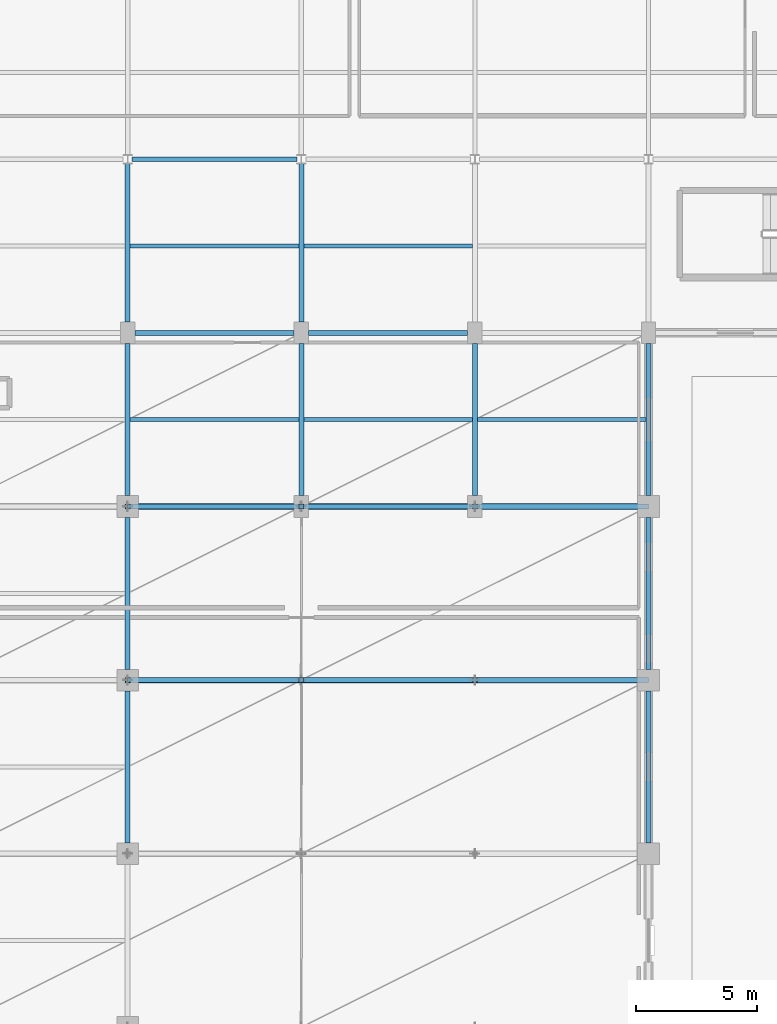
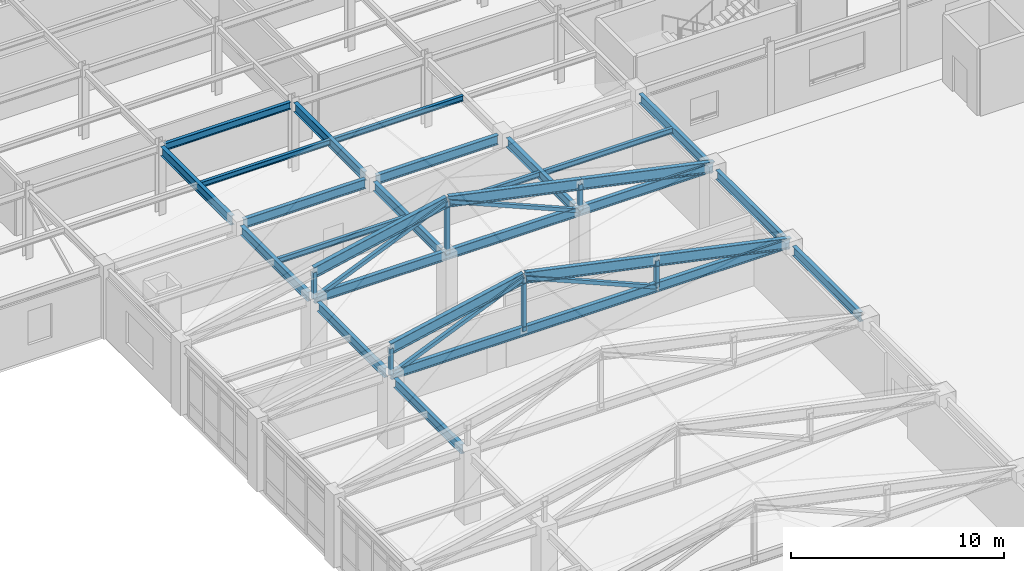
# One storey, part 57 of 113: 20 beams, 16 members.
"""IFC4 building model written with IfcOpenShell, lengths in metres."""

import ifcopenshell
import ifcopenshell.guid

model = None  # the IFC model being written
_history = None  # IfcOwnerHistory: only IFC2X3 demands one
_inside = {}  # id of a spatial element -> (the spatial element, [elements in it])
_under = {}  # id of a project, library or spatial element -> (it, [spatial elements below it])
_declared = {}  # id of a project -> (the project, [libraries it declares])
_typed = {}  # id of a type object -> (the type object, [elements of that type])
_made_of = {}  # id of a material, layer set ... -> (it, [elements and type objects made of it])


def new_model(schema):
    """Start an empty IFC model of exactly this schema.

    Asked for "IFC4X3", IfcOpenShell would pick the latest addendum, in which some entities
    have other attributes; the version numbers below select the first issue.
    IFC2X3 requires an IfcOwnerHistory on every rooted entity: one is made here for all.
    """
    global model, _history
    if schema == "IFC4X3":
        model = ifcopenshell.file(schema_version=(4, 3, 0, 0))
    else:
        model = ifcopenshell.file(schema=schema)
    _inside.clear()
    _under.clear()
    _declared.clear()
    _typed.clear()
    _made_of.clear()
    _history = None
    if model.schema == "IFC2X3":
        org = make("IfcOrganization", Name="unknown")
        user = make(
            "IfcPersonAndOrganization",
            ThePerson=make("IfcPerson", FamilyName="unknown"),
            TheOrganization=org,
        )
        app = make(
            "IfcApplication",
            ApplicationDeveloper=org,
            Version="unknown",
            ApplicationFullName="unknown",
            ApplicationIdentifier="unknown",
        )
        _history = make(
            "IfcOwnerHistory",
            OwningUser=user,
            OwningApplication=app,
            ChangeAction="ADDED",
            CreationDate=0,
        )
    return model


def make(cls, **values):
    """One entity of the class cls with the attributes given. An attribute that is None is left unset."""
    return model.create_entity(
        cls, **{name: value for name, value in values.items() if value is not None}
    )


def rooted(cls, **values):
    """An entity with a GlobalId (a new one), such as an element, a storey or a relation."""
    return make(cls, GlobalId=ifcopenshell.guid.new(), OwnerHistory=_history, **values)


def si_unit(unit_type, name, prefix=None):
    """IfcSIUnit, for example si_unit("LENGTHUNIT", "METRE", prefix="MILLI")."""
    return make("IfcSIUnit", UnitType=unit_type, Prefix=prefix, Name=name)


def assignment(units):
    """IfcUnitAssignment: the units of a project."""
    return None if units is None else make("IfcUnitAssignment", Units=units)


def point(xyz):
    """IfcCartesianPoint."""
    return None if xyz is None else make("IfcCartesianPoint", Coordinates=xyz)


def direction(xyz):
    """IfcDirection."""
    return None if xyz is None else make("IfcDirection", DirectionRatios=xyz)


def frame(location, z_axis=None, x_axis=None):
    """IfcAxis2Placement3D, a coordinate frame: its origin and axes. An axis left out is left unset."""
    return make(
        "IfcAxis2Placement3D",
        Location=point(location),
        Axis=direction(z_axis),
        RefDirection=direction(x_axis),
    )


def frame_2d(location, x_axis=None):
    """IfcAxis2Placement2D, a coordinate frame in the plane: its origin and x axis."""
    return make(
        "IfcAxis2Placement2D", Location=point(location), RefDirection=direction(x_axis)
    )


def origin():
    """The frame at (0, 0, 0) with its axes left unset."""
    return frame((0.0, 0.0, 0.0))


def origin_2d():
    """The frame at (0, 0) in the plane with its x axis left unset."""
    return frame_2d((0.0, 0.0))


def place(relative_to, where):
    """IfcLocalPlacement: puts the frame where relative to a parent placement (None: the world)."""
    return make(
        "IfcLocalPlacement", PlacementRelTo=relative_to, RelativePlacement=where
    )


def context(
    kind, dimensions, precision=None, world=None, true_north=None, identifier=None
):
    """IfcGeometricRepresentationContext, for example the 3D "Model" context."""
    return make(
        "IfcGeometricRepresentationContext",
        ContextIdentifier=identifier,
        ContextType=kind,
        CoordinateSpaceDimension=dimensions,
        Precision=precision,
        WorldCoordinateSystem=world,
        TrueNorth=true_north,
    )


def subcontext(parent, identifier, kind, view, scale=None):
    """IfcGeometricRepresentationSubContext, for example "Body" below "Model"."""
    return make(
        "IfcGeometricRepresentationSubContext",
        ContextIdentifier=identifier,
        ContextType=kind,
        ParentContext=parent,
        TargetScale=scale,
        TargetView=view,
    )


def project(units=None, contexts=None):
    """IfcProject with its units and contexts."""
    return rooted(
        "IfcProject",
        Name="project",
        RepresentationContexts=contexts,
        UnitsInContext=assignment(units),
    )


def spatial(cls, under=None, at=None, **own):
    """A site, building, storey or space (cls), placed at a placement, below another one or the project."""
    s = rooted(cls, ObjectPlacement=at, **own)
    if under is not None:
        _under.setdefault(under.id(), (under, []))[1].append(s)
    return s


def profile(cls, at=None, kind="AREA", **sizes):
    """A parametric profile (cls). Its sizes go by their IFC names, for example OverallWidth=200.0."""
    return make(cls, ProfileType=kind, Position=at, **sizes)


def hollow_rectangle(**sizes):
    """IfcRectangleHollowProfileDef."""
    return profile("IfcRectangleHollowProfileDef", **sizes)


def i_section(**sizes):
    """IfcIShapeProfileDef."""
    return profile("IfcIShapeProfileDef", **sizes)


def extrude(swept, where, along, depth):
    """IfcExtrudedAreaSolid: the profile swept, set in the frame where, extruded along a direction by depth."""
    return make(
        "IfcExtrudedAreaSolid",
        SweptArea=swept,
        Position=where,
        ExtrudedDirection=direction(along),
        Depth=depth,
    )


def shape(context_of_items, identifier, shape_type, items):
    """IfcShapeRepresentation: the items that make up one representation, for example the "Body"."""
    return make(
        "IfcShapeRepresentation",
        ContextOfItems=context_of_items,
        RepresentationIdentifier=identifier,
        RepresentationType=shape_type,
        Items=items,
    )


def material(Name=None, Category=None):
    """IfcMaterial."""
    return make("IfcMaterial", Name=Name, Category=Category)


def material_profile(
    of_material, cross_section, Name=None, Category=None, Priority=None
):
    """IfcMaterialProfile: a cross section and its material."""
    return make(
        "IfcMaterialProfile",
        Name=Name,
        Material=of_material,
        Profile=cross_section,
        Priority=Priority,
        Category=Category,
    )


def profile_set(profiles, Name=None, composite=None):
    """IfcMaterialProfileSet."""
    return make(
        "IfcMaterialProfileSet",
        Name=Name,
        MaterialProfiles=profiles,
        CompositeProfile=composite,
    )


def made_of(thing, what):
    """Note that an element or type object is made of a material, layer set ...; save() writes the relation."""
    if what is not None:
        _made_of.setdefault(what.id(), (what, []))[1].append(thing)
    return thing


def type_object(cls, material=None, **own):
    """A type object (cls), such as IfcWallType, which elements share."""
    return made_of(rooted(cls, **own), material)


def element(
    cls,
    number,
    at=None,
    inside=None,
    cuts=None,
    type_object=None,
    material=None,
    context=None,
    identifier="Body",
    shape_type=None,
    held_by="IfcProductDefinitionShape",
    body=None,
    shapes=None,
    **own,
):
    """One element of the class cls, such as IfcWall. Its Tag is "e" and its number.

    at: its placement. inside: the storey or other place that contains it. cuts: it is an
    opening in that element (IfcRelVoidsElement). A single representation is given by context,
    identifier, shape_type and body (its items); several are given by shapes. held_by: the class
    of the entity that holds the representations. save() writes the other relations.
    """
    e = rooted(cls, Tag="e%d" % number, ObjectPlacement=at, **own)
    if body is not None:
        shapes = [shape(context, identifier, shape_type, body)]
    if shapes is not None:
        e.Representation = make(held_by, Representations=shapes)
    if inside is not None:
        _inside.setdefault(inside.id(), (inside, []))[1].append(e)
    if cuts is not None:
        rooted(
            "IfcRelVoidsElement", RelatingBuildingElement=cuts, RelatedOpeningElement=e
        )
    if type_object is not None:
        _typed.setdefault(type_object.id(), (type_object, []))[1].append(e)
    return made_of(e, material)


def aggregate(whole, parts):
    """IfcRelAggregates: a whole, such as a stair, and the parts it consists of."""
    return rooted("IfcRelAggregates", RelatingObject=whole, RelatedObjects=parts)


def save(model, path):
    """Write the relations noted so far, then the file.

    IfcRelAggregates (storeys below a building ...), IfcRelContainedInSpatialStructure (elements
    in a storey), IfcRelDefinesByType, IfcRelAssociatesMaterial and IfcRelDeclares: one each for
    every whole, place, type object, material and project.
    """
    for whole, parts in _under.values():
        aggregate(whole, parts)
    for where, things in _inside.values():
        rooted(
            "IfcRelContainedInSpatialStructure",
            RelatedElements=things,
            RelatingStructure=where,
        )
    for kind, things in _typed.values():
        rooted("IfcRelDefinesByType", RelatedObjects=things, RelatingType=kind)
    for what, things in _made_of.values():
        rooted("IfcRelAssociatesMaterial", RelatedObjects=things, RelatingMaterial=what)
    for by, libraries in _declared.values():
        rooted("IfcRelDeclares", RelatingContext=by, RelatedDefinitions=libraries)
    model.write(path)


model = new_model("IFC4")

# Units and contexts
model_context = context("Model", 3, precision=1e-05, world=origin(), true_north=direction((0.0, 1.0)))
body_context = subcontext(model_context, "Body", "Model", "MODEL_VIEW")
ifc_project = project(units=[si_unit("LENGTHUNIT", "METRE"), si_unit("AREAUNIT", "SQUARE_METRE"), si_unit("VOLUMEUNIT", "CUBIC_METRE"), si_unit("PLANEANGLEUNIT", "RADIAN"), si_unit("MASSUNIT", "GRAM", prefix="KILO")], contexts=[model_context])

# Site, building, storey
site_placement = place(None, origin())
site = spatial("IfcSite", under=ifc_project, at=site_placement, CompositionType="ELEMENT")
building_placement = place(site_placement, origin())
building = spatial("IfcBuilding", under=site, at=building_placement, Name="Carrowvane Square Congress Hotel", CompositionType="ELEMENT")
storey_placement = place(building_placement, frame((0.0, 0.0, 15.0)))
storey = spatial("IfcBuildingStorey", under=building, at=storey_placement, Name="L03", CompositionType="ELEMENT", Elevation=15.0)

# Beams
ifc_material_1 = material(Name="Steel S355", Category="steel")
ifc_material_profile_1 = material_profile(ifc_material_1, i_section(OverallWidth=0.165771484375, OverallDepth=0.306640625, WebThickness=0.006591796875, FlangeThickness=0.01171875, FilletRadius=0.0087890625, at=origin_2d()), Name="UKB 305x165x46")
ifc_profile_set_1 = profile_set([ifc_material_profile_1], Name="Steel S355")
beam_type_1 = type_object("IfcBeamType", Name="BM-ST-UKB305", PredefinedType="JOIST", material=ifc_profile_set_1)
for number, where, z_axis, x_axis, name in (
    (1, (141.304931640625, 52.199951171875, 3.78662109375), (1.0, 0.0, 0.0), (0.0, 1.0, 0.0), "L04 secondary joist 19-20"),
    (2, (141.304931640625, 59.39990234375, 3.78662109375), (1.0, 0.0, 0.0), (0.0, 1.0, 0.0), "L04 secondary joist 19-20"),
):
    element("IfcBeam", number, at=place(storey_placement, frame(where, z_axis=z_axis, x_axis=x_axis)), inside=storey, type_object=beam_type_1, Name=name, PredefinedType="JOIST", context=body_context, shape_type="SweptSolid", body=[
        extrude(i_section(OverallWidth=0.165771484375, OverallDepth=0.306640625, WebThickness=0.006591796875, FlangeThickness=0.01171875, FilletRadius=0.0087890625, at=origin_2d()), origin(), (0.0, 0.0, 1.0), 6.989990234375),
    ])
for number, where, z_axis, x_axis, name in (
    (3, (148.5048828125, 52.199951171875, 3.78662109375), (1.0, 0.0, 0.0), (0.0, 1.0, 0.0), "L04 secondary joist 20-21"),
    (4, (148.5048828125, 59.39990234375, 3.78662109375), (1.0, 0.0, 0.0), (0.0, 1.0, 0.0), "L04 secondary joist 20-21"),
):
    element("IfcBeam", number, at=place(storey_placement, frame(where, z_axis=z_axis, x_axis=x_axis)), inside=storey, type_object=beam_type_1, Name=name, PredefinedType="JOIST", context=body_context, shape_type="SweptSolid", body=[
        extrude(i_section(OverallWidth=0.165771484375, OverallDepth=0.306640625, WebThickness=0.006591796875, FlangeThickness=0.01171875, FilletRadius=0.0087890625, at=origin_2d()), origin(), (0.0, 0.0, 1.0), 6.990234375),
    ])
beam_1_placement = place(storey_placement, frame((155.705078125, 52.199951171875, 3.78662109375), z_axis=(1.0, 0.0, 0.0), x_axis=(0.0, 1.0, 0.0)))
element("IfcBeam", 5, at=beam_1_placement, inside=storey, type_object=beam_type_1, Name="L04 secondary joist 21-22", PredefinedType="JOIST", context=body_context, shape_type="SweptSolid", body=[
    extrude(i_section(OverallWidth=0.165771484375, OverallDepth=0.306640625, WebThickness=0.006591796875, FlangeThickness=0.01171875, FilletRadius=0.0087890625, at=origin_2d()), origin(), (0.0, 0.0, 1.0), 6.989990234375),
])
ifc_material_2 = material(Name="Steel S355", Category="steel")
ifc_material_profile_2 = material_profile(ifc_material_2, i_section(OverallWidth=0.1787109375, OverallDepth=0.409423828125, WebThickness=0.0087890625, FlangeThickness=0.014404296875, FilletRadius=0.01025390625, at=origin_2d()), Name="UKB 406x178x67")
ifc_profile_set_2 = profile_set([ifc_material_profile_2], Name="Steel S355")
beam_type_2 = type_object("IfcBeamType", Name="BM-ST-UKB406", PredefinedType="BEAM", material=ifc_profile_set_2)
beam_2_placement = place(storey_placement, frame((141.38525390625, 63.0, 3.7353515625), z_axis=(1.0, 0.0, 0.0), x_axis=(0.0, 1.0, 0.0)))
element("IfcBeam", 6, at=beam_2_placement, inside=storey, type_object=beam_type_2, Name="L04 girder J/19-20", PredefinedType="BEAM", context=body_context, shape_type="SweptSolid", body=[
    extrude(i_section(OverallWidth=0.1787109375, OverallDepth=0.409423828125, WebThickness=0.0087890625, FlangeThickness=0.014404296875, FilletRadius=0.01025390625, at=origin_2d()), origin(), (0.0, 0.0, 1.0), 6.82958984375),
])
ifc_material_3 = material(Name="Steel S355", Category="steel")
ifc_material_profile_3 = material_profile(ifc_material_3, i_section(OverallWidth=0.2099609375, OverallDepth=0.53662109375, WebThickness=0.0107421875, FlangeThickness=0.017333984375, FilletRadius=0.0126953125, at=origin_2d()), Name="UKB 533x210x101")
ifc_profile_set_3 = profile_set([ifc_material_profile_3], Name="Steel S355")
beam_type_3 = type_object("IfcBeamType", Name="BM-ST-UKB533", PredefinedType="USERDEFINED", material=ifc_profile_set_3)
for number, where, z_axis, x_axis, name in (
    (7, (141.5, 55.800048828125, 3.671630859375), (1.0, 0.0, 0.0), (0.0, 1.0, 0.0), "L04 girder H/19-20"),
    (8, (148.699951171875, 55.800048828125, 3.671630859375), (1.0, 0.0, 0.0), (0.0, 1.0, 0.0), "L04 girder H/20-21"),
):
    element("IfcBeam", number, at=place(storey_placement, frame(where, z_axis=z_axis, x_axis=x_axis)), inside=storey, type_object=beam_type_3, Name=name, ObjectType="GIRDER", PredefinedType="USERDEFINED", context=body_context, shape_type="SweptSolid", body=[
        extrude(i_section(OverallWidth=0.2099609375, OverallDepth=0.53662109375, WebThickness=0.0107421875, FlangeThickness=0.017333984375, FilletRadius=0.0126953125, at=origin_2d()), origin(), (0.0, 0.0, 1.0), 6.60009765625),
    ])
beam_3_placement = place(storey_placement, frame((141.199951171875, 34.64990234375, 3.671630859375), z_axis=(0.0, 1.0, 0.0), x_axis=(-1.0, 0.0, 0.0)))
element("IfcBeam", 9, at=beam_3_placement, inside=storey, type_object=beam_type_3, Name="L04 girder 19/E-F", ObjectType="GIRDER", PredefinedType="USERDEFINED", context=body_context, shape_type="SweptSolid", body=[
    extrude(i_section(OverallWidth=0.2099609375, OverallDepth=0.53662109375, WebThickness=0.0107421875, FlangeThickness=0.017333984375, FilletRadius=0.0126953125, at=origin_2d()), origin(), (0.0, 0.0, 1.0), 6.300048828125),
])
beam_4_placement = place(storey_placement, frame((141.199951171875, 41.85009765625, 3.671630859375), z_axis=(0.0, 1.0, 0.0), x_axis=(-1.0, 0.0, 0.0)))
element("IfcBeam", 10, at=beam_4_placement, inside=storey, type_object=beam_type_3, Name="L04 girder 19/F-G", ObjectType="GIRDER", PredefinedType="USERDEFINED", context=body_context, shape_type="SweptSolid", body=[
    extrude(i_section(OverallWidth=0.2099609375, OverallDepth=0.53662109375, WebThickness=0.0107421875, FlangeThickness=0.017333984375, FilletRadius=0.0126953125, at=origin_2d()), origin(), (0.0, 0.0, 1.0), 6.2998046875),
])
beam_5_placement = place(storey_placement, frame((141.199951171875, 49.050048828125, 3.671630859375), z_axis=(0.0, 1.0, 0.0), x_axis=(-1.0, 0.0, 0.0)))
element("IfcBeam", 11, at=beam_5_placement, inside=storey, type_object=beam_type_3, Name="L04 girder 19/G-H", ObjectType="GIRDER", PredefinedType="USERDEFINED", context=body_context, shape_type="SweptSolid", body=[
    extrude(i_section(OverallWidth=0.2099609375, OverallDepth=0.53662109375, WebThickness=0.0107421875, FlangeThickness=0.017333984375, FilletRadius=0.0126953125, at=origin_2d()), origin(), (0.0, 0.0, 1.0), 6.300048828125),
])
beam_6_placement = place(storey_placement, frame((141.199951171875, 56.25, 3.671630859375), z_axis=(0.0, 1.0, 0.0), x_axis=(-1.0, 0.0, 0.0)))
element("IfcBeam", 12, at=beam_6_placement, inside=storey, type_object=beam_type_3, Name="L04 girder 19/H-J", ObjectType="GIRDER", PredefinedType="USERDEFINED", context=body_context, shape_type="SweptSolid", body=[
    extrude(i_section(OverallWidth=0.2099609375, OverallDepth=0.53662109375, WebThickness=0.0107421875, FlangeThickness=0.017333984375, FilletRadius=0.0126953125, at=origin_2d()), origin(), (0.0, 0.0, 1.0), 6.569091796875),
])
beam_7_placement = place(storey_placement, frame((148.39990234375, 49.050048828125, 3.671630859375), z_axis=(0.0, 1.0, 0.0), x_axis=(-1.0, 0.0, 0.0)))
element("IfcBeam", 13, at=beam_7_placement, inside=storey, type_object=beam_type_3, Name="L04 girder 20/G-H", ObjectType="GIRDER", PredefinedType="USERDEFINED", context=body_context, shape_type="SweptSolid", body=[
    extrude(i_section(OverallWidth=0.2099609375, OverallDepth=0.53662109375, WebThickness=0.0107421875, FlangeThickness=0.017333984375, FilletRadius=0.0126953125, at=origin_2d()), origin(), (0.0, 0.0, 1.0), 6.300048828125),
])
beam_8_placement = place(storey_placement, frame((148.39990234375, 56.25, 3.671630859375), z_axis=(0.0, 1.0, 0.0), x_axis=(-1.0, 0.0, 0.0)))
element("IfcBeam", 14, at=beam_8_placement, inside=storey, type_object=beam_type_3, Name="L04 girder 20/H-J", ObjectType="GIRDER", PredefinedType="USERDEFINED", context=body_context, shape_type="SweptSolid", body=[
    extrude(i_section(OverallWidth=0.2099609375, OverallDepth=0.53662109375, WebThickness=0.0107421875, FlangeThickness=0.017333984375, FilletRadius=0.0126953125, at=origin_2d()), origin(), (0.0, 0.0, 1.0), 6.569091796875),
])
for number, where, z_axis, x_axis, name in (
    (15, (155.60009765625, 49.050048828125, 3.671630859375), (0.0, 1.0, 0.0), (-1.0, 0.0, 0.0), "L04 girder 21/G-H"),
    (16, (162.800048828125, 34.64990234375, 3.671630859375), (0.0, 1.0, 0.0), (-1.0, 0.0, 0.0), "L04 girder 22/E-F"),
):
    element("IfcBeam", number, at=place(storey_placement, frame(where, z_axis=z_axis, x_axis=x_axis)), inside=storey, type_object=beam_type_3, Name=name, ObjectType="GIRDER", PredefinedType="USERDEFINED", context=body_context, shape_type="SweptSolid", body=[
        extrude(i_section(OverallWidth=0.2099609375, OverallDepth=0.53662109375, WebThickness=0.0107421875, FlangeThickness=0.017333984375, FilletRadius=0.0126953125, at=origin_2d()), origin(), (0.0, 0.0, 1.0), 6.300048828125),
    ])
beam_9_placement = place(storey_placement, frame((162.800048828125, 41.85009765625, 3.671630859375), z_axis=(0.0, 1.0, 0.0), x_axis=(-1.0, 0.0, 0.0)))
element("IfcBeam", 17, at=beam_9_placement, inside=storey, type_object=beam_type_3, Name="L04 girder 22/F-G", ObjectType="GIRDER", PredefinedType="USERDEFINED", context=body_context, shape_type="SweptSolid", body=[
    extrude(i_section(OverallWidth=0.2099609375, OverallDepth=0.53662109375, WebThickness=0.0107421875, FlangeThickness=0.017333984375, FilletRadius=0.0126953125, at=origin_2d()), origin(), (0.0, 0.0, 1.0), 6.2998046875),
])
beam_10_placement = place(storey_placement, frame((162.800048828125, 49.050048828125, 3.671630859375), z_axis=(0.0, 1.0, 0.0), x_axis=(-1.0, 0.0, 0.0)))
element("IfcBeam", 18, at=beam_10_placement, inside=storey, type_object=beam_type_3, Name="L04 girder 22/G-H", ObjectType="GIRDER", PredefinedType="USERDEFINED", context=body_context, shape_type="SweptSolid", body=[
    extrude(i_section(OverallWidth=0.2099609375, OverallDepth=0.53662109375, WebThickness=0.0107421875, FlangeThickness=0.017333984375, FilletRadius=0.0126953125, at=origin_2d()), origin(), (0.0, 0.0, 1.0), 6.300048828125),
])
for number, where, z_axis, x_axis, name in (
    (19, (141.199951171875, 41.39990234375, 3.85009765625), (1.0, 0.0, 0.0), (0.0, 1.0, 0.0), "V2 pavilion truss main tie girder 5"),
    (20, (141.199951171875, 48.60009765625, 3.85009765625), (1.0, 0.0, 0.0), (0.0, 1.0, 0.0), "V2 pavilion truss main tie girder 6"),
):
    element("IfcBeam", number, at=place(storey_placement, frame(where, z_axis=z_axis, x_axis=x_axis)), inside=storey, type_object=beam_type_3, Name=name, ObjectType="GIRDER", PredefinedType="USERDEFINED", context=body_context, shape_type="SweptSolid", body=[
        extrude(i_section(OverallWidth=0.2099609375, OverallDepth=0.53662109375, WebThickness=0.0107421875, FlangeThickness=0.017333984375, FilletRadius=0.0126953125, at=origin_2d()), origin(), (0.0, 0.0, 1.0), 21.60009765625),
    ])

# Members
ifc_material_4 = material(Name="Steel S355", Category="steel")
ifc_material_profile_4 = material_profile(ifc_material_4, hollow_rectangle(XDim=0.199951171875, YDim=0.199951171875, WallThickness=0.012451171875, at=origin_2d()), Name="SHS 200x200x12.5")
ifc_profile_set_4 = profile_set([ifc_material_profile_4], Name="Steel S355")
member_type_1 = type_object("IfcMemberType", Name="MEM-BR-SHS200", PredefinedType="BRACE", material=ifc_profile_set_4)
member_1_placement = place(storey_placement, frame((141.199951171875, 41.39990234375, 3.85009765625), z_axis=(0.920753811728, 0.0, 0.390144099262), x_axis=(0.0, 1.0, 0.0)))
element("IfcMember", 21, at=member_1_placement, inside=storey, type_object=member_type_1, Name="V2 pavilion truss diagonal 5.2", PredefinedType="BRACE", context=body_context, shape_type="SweptSolid", body=[
    extrude(hollow_rectangle(XDim=0.199951171875, YDim=0.199951171875, WallThickness=0.012451171875, at=origin_2d()), origin(), (0.0, 0.0, 1.0), 7.819580078125),
])
member_2_placement = place(storey_placement, frame((148.39990234375, 41.39990234375, 6.90087890625), z_axis=(0.920758563825, 0.0, -0.390132883954), x_axis=(0.0, 1.0, 0.0)))
element("IfcMember", 22, at=member_2_placement, inside=storey, type_object=member_type_1, Name="V2 pavilion truss diagonal 5.3", PredefinedType="BRACE", context=body_context, shape_type="SweptSolid", body=[
    extrude(hollow_rectangle(XDim=0.199951171875, YDim=0.199951171875, WallThickness=0.012451171875, at=origin_2d()), origin(), (0.0, 0.0, 1.0), 7.81982421875),
])
member_3_placement = place(storey_placement, frame((141.199951171875, 48.60009765625, 3.85009765625), z_axis=(0.920753811728, 0.0, 0.390144099262), x_axis=(0.0, 1.0, 0.0)))
element("IfcMember", 23, at=member_3_placement, inside=storey, type_object=member_type_1, Name="V2 pavilion truss diagonal 6.2", PredefinedType="BRACE", context=body_context, shape_type="SweptSolid", body=[
    extrude(hollow_rectangle(XDim=0.199951171875, YDim=0.199951171875, WallThickness=0.012451171875, at=origin_2d()), origin(), (0.0, 0.0, 1.0), 7.819580078125),
])
member_4_placement = place(storey_placement, frame((148.39990234375, 48.60009765625, 6.90087890625), z_axis=(0.920758563825, 0.0, -0.390132883954), x_axis=(0.0, 1.0, 0.0)))
element("IfcMember", 24, at=member_4_placement, inside=storey, type_object=member_type_1, Name="V2 pavilion truss diagonal 6.3", PredefinedType="BRACE", context=body_context, shape_type="SweptSolid", body=[
    extrude(hollow_rectangle(XDim=0.199951171875, YDim=0.199951171875, WallThickness=0.012451171875, at=origin_2d()), origin(), (0.0, 0.0, 1.0), 7.81982421875),
])
ifc_material_5 = material(Name="Steel S355", Category="steel")
ifc_material_profile_5 = material_profile(ifc_material_5, hollow_rectangle(XDim=0.199951171875, YDim=0.199951171875, WallThickness=0.012451171875, at=origin_2d()), Name="SHS 200x200x12.5")
ifc_profile_set_5 = profile_set([ifc_material_profile_5], Name="Steel S355")
member_type_2 = type_object("IfcMemberType", Name="MEM-ST-SHS200", PredefinedType="STRUT", material=ifc_profile_set_5)
member_5_placement = place(storey_placement, frame((141.199951171875, 41.39990234375, 3.85009765625), z_axis=(0.0, 0.0, 1.0), x_axis=(1.0, 0.0, 0.0)))
element("IfcMember", 25, at=member_5_placement, inside=storey, type_object=member_type_2, Name="V2 pavilion truss vertical 5.2", PredefinedType="STRUT", context=body_context, shape_type="SweptSolid", body=[
    extrude(hollow_rectangle(XDim=0.199951171875, YDim=0.199951171875, WallThickness=0.012451171875, at=origin_2d()), origin(), (0.0, 0.0, 1.0), 1.520263671875),
])
member_6_placement = place(storey_placement, frame((148.39990234375, 41.39990234375, 3.85009765625), z_axis=(0.0, 0.0, 1.0), x_axis=(1.0, 0.0, 0.0)))
element("IfcMember", 26, at=member_6_placement, inside=storey, type_object=member_type_2, Name="V2 pavilion truss vertical 5.3", PredefinedType="STRUT", context=body_context, shape_type="SweptSolid", body=[
    extrude(hollow_rectangle(XDim=0.199951171875, YDim=0.199951171875, WallThickness=0.012451171875, at=origin_2d()), origin(), (0.0, 0.0, 1.0), 3.05078125),
])
for number, where, z_axis, x_axis, name in (
    (27, (155.60009765625, 41.39990234375, 3.85009765625), (0.0, 0.0, 1.0), (1.0, 0.0, 0.0), "V2 pavilion truss vertical 5.4"),
    (28, (141.199951171875, 48.60009765625, 3.85009765625), (0.0, 0.0, 1.0), (1.0, 0.0, 0.0), "V2 pavilion truss vertical 6.2"),
):
    element("IfcMember", number, at=place(storey_placement, frame(where, z_axis=z_axis, x_axis=x_axis)), inside=storey, type_object=member_type_2, Name=name, PredefinedType="STRUT", context=body_context, shape_type="SweptSolid", body=[
        extrude(hollow_rectangle(XDim=0.199951171875, YDim=0.199951171875, WallThickness=0.012451171875, at=origin_2d()), origin(), (0.0, 0.0, 1.0), 1.520263671875),
    ])
member_7_placement = place(storey_placement, frame((148.39990234375, 48.60009765625, 3.85009765625), z_axis=(0.0, 0.0, 1.0), x_axis=(1.0, 0.0, 0.0)))
element("IfcMember", 29, at=member_7_placement, inside=storey, type_object=member_type_2, Name="V2 pavilion truss vertical 6.3", PredefinedType="STRUT", context=body_context, shape_type="SweptSolid", body=[
    extrude(hollow_rectangle(XDim=0.199951171875, YDim=0.199951171875, WallThickness=0.012451171875, at=origin_2d()), origin(), (0.0, 0.0, 1.0), 3.05078125),
])
member_8_placement = place(storey_placement, frame((155.60009765625, 48.60009765625, 3.85009765625), z_axis=(0.0, 0.0, 1.0), x_axis=(1.0, 0.0, 0.0)))
element("IfcMember", 30, at=member_8_placement, inside=storey, type_object=member_type_2, Name="V2 pavilion truss vertical 6.4", PredefinedType="STRUT", context=body_context, shape_type="SweptSolid", body=[
    extrude(hollow_rectangle(XDim=0.199951171875, YDim=0.199951171875, WallThickness=0.012451171875, at=origin_2d()), origin(), (0.0, 0.0, 1.0), 1.520263671875),
])
ifc_material_6 = material(Name="Steel S355", Category="steel")
ifc_material_profile_6 = material_profile(ifc_material_6, i_section(OverallWidth=0.230224609375, OverallDepth=0.6171875, WebThickness=0.01318359375, FlangeThickness=0.022216796875, FilletRadius=0.0126953125, at=origin_2d()), Name="UKB 610x229x140")
ifc_profile_set_6 = profile_set([ifc_material_profile_6], Name="Steel S355")
member_type_3 = type_object("IfcMemberType", Name="MEM-TC-UKB610", PredefinedType="CHORD", material=ifc_profile_set_6)
member_9_placement = place(storey_placement, frame((141.199951171875, 41.39990234375, 5.370361328125), z_axis=(0.978144265498, 0.0, 0.207927381249), x_axis=(0.0, 1.0, 0.0)))
element("IfcMember", 31, at=member_9_placement, inside=storey, type_object=member_type_3, Name="V2 pavilion truss top chord 5.2", PredefinedType="CHORD", context=body_context, shape_type="SweptSolid", body=[
    extrude(i_section(OverallWidth=0.230224609375, OverallDepth=0.6171875, WebThickness=0.01318359375, FlangeThickness=0.022216796875, FilletRadius=0.0126953125, at=origin_2d()), origin(), (0.0, 0.0, 1.0), 7.36083984375),
])
member_10_placement = place(storey_placement, frame((148.39990234375, 41.39990234375, 6.90087890625), z_axis=(0.978145699388, 0.0, -0.207920635747), x_axis=(0.0, 1.0, 0.0)))
element("IfcMember", 32, at=member_10_placement, inside=storey, type_object=member_type_3, Name="V2 pavilion truss top chord 5.3", PredefinedType="CHORD", context=body_context, shape_type="SweptSolid", body=[
    extrude(i_section(OverallWidth=0.230224609375, OverallDepth=0.6171875, WebThickness=0.01318359375, FlangeThickness=0.022216796875, FilletRadius=0.0126953125, at=origin_2d()), origin(), (0.0, 0.0, 1.0), 7.361083984375),
])
for number, where, z_axis, x_axis, name in (
    (33, (155.60009765625, 41.39990234375, 5.370361328125), (0.978151010745, 0.0, -0.207895647328), (0.0, 1.0, 0.0), "V2 pavilion truss top chord 5.4"),
    (34, (141.199951171875, 48.60009765625, 5.370361328125), (0.978144265498, 0.0, 0.207927381249), (0.0, 1.0, 0.0), "V2 pavilion truss top chord 6.2"),
):
    element("IfcMember", number, at=place(storey_placement, frame(where, z_axis=z_axis, x_axis=x_axis)), inside=storey, type_object=member_type_3, Name=name, PredefinedType="CHORD", context=body_context, shape_type="SweptSolid", body=[
        extrude(i_section(OverallWidth=0.230224609375, OverallDepth=0.6171875, WebThickness=0.01318359375, FlangeThickness=0.022216796875, FilletRadius=0.0126953125, at=origin_2d()), origin(), (0.0, 0.0, 1.0), 7.36083984375),
    ])
member_11_placement = place(storey_placement, frame((148.39990234375, 48.60009765625, 6.90087890625), z_axis=(0.978145699388, 0.0, -0.207920635747), x_axis=(0.0, 1.0, 0.0)))
element("IfcMember", 35, at=member_11_placement, inside=storey, type_object=member_type_3, Name="V2 pavilion truss top chord 6.3", PredefinedType="CHORD", context=body_context, shape_type="SweptSolid", body=[
    extrude(i_section(OverallWidth=0.230224609375, OverallDepth=0.6171875, WebThickness=0.01318359375, FlangeThickness=0.022216796875, FilletRadius=0.0126953125, at=origin_2d()), origin(), (0.0, 0.0, 1.0), 7.361083984375),
])
member_12_placement = place(storey_placement, frame((155.60009765625, 48.60009765625, 5.370361328125), z_axis=(0.978151010745, 0.0, -0.207895647328), x_axis=(0.0, 1.0, 0.0)))
element("IfcMember", 36, at=member_12_placement, inside=storey, type_object=member_type_3, Name="V2 pavilion truss top chord 6.4", PredefinedType="CHORD", context=body_context, shape_type="SweptSolid", body=[
    extrude(i_section(OverallWidth=0.230224609375, OverallDepth=0.6171875, WebThickness=0.01318359375, FlangeThickness=0.022216796875, FilletRadius=0.0126953125, at=origin_2d()), origin(), (0.0, 0.0, 1.0), 7.36083984375),
])

save(model, "model.ifc")
